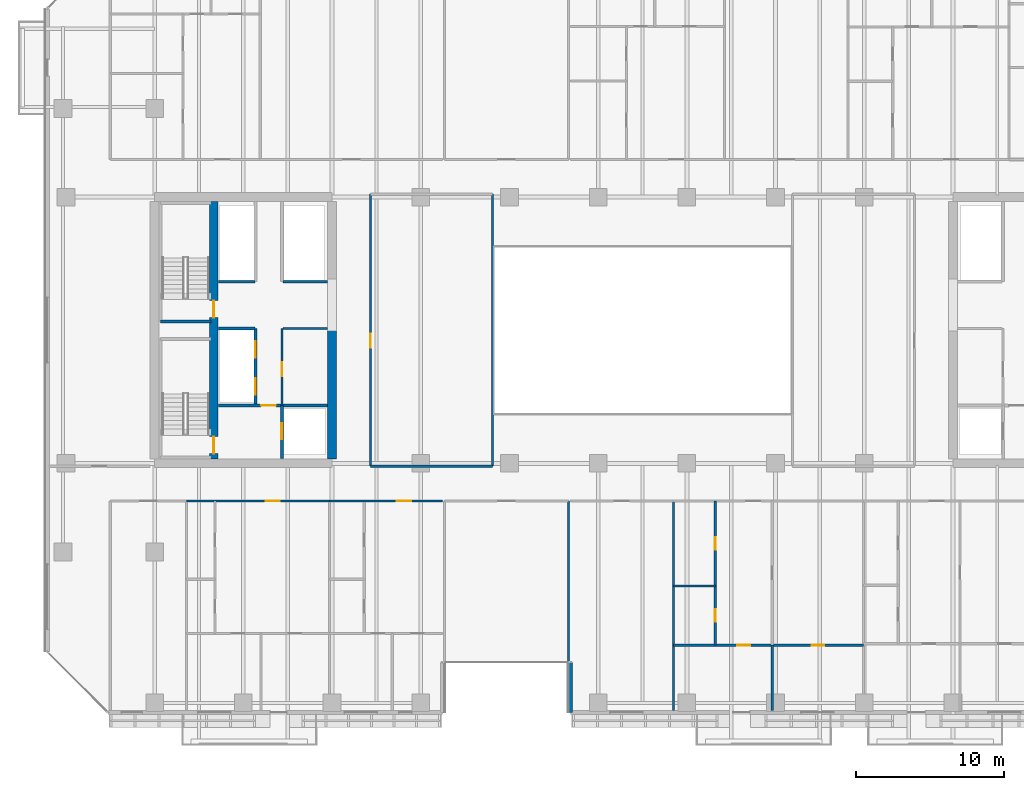
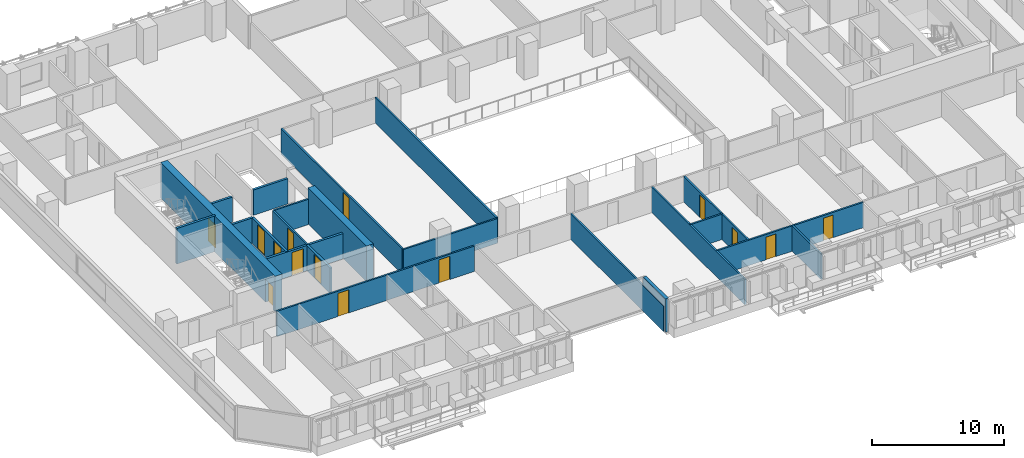
# One storey, part 19 of 33: 23 walls, 14 doors, 14 openings.
"""IFC4 building model written with IfcOpenShell, lengths in metres."""

from ifc_helpers import new_model, si_unit, direction, frame, frame_2d, origin, place, context, subcontext, project, spatial, rectangle, extrude, material, layer, layer_set, type_object, element, fill, save


model = new_model("IFC4")

# Units and contexts
model_context = context("Model", 3, precision=1e-05, world=origin(), true_north=direction((0.0, 1.0)))
body_context = subcontext(model_context, "Body", "Model", "MODEL_VIEW")
ifc_project = project(units=[si_unit("LENGTHUNIT", "METRE"), si_unit("AREAUNIT", "SQUARE_METRE"), si_unit("VOLUMEUNIT", "CUBIC_METRE"), si_unit("PLANEANGLEUNIT", "RADIAN"), si_unit("MASSUNIT", "GRAM", prefix="KILO")], contexts=[model_context])

# Site, building, storey
site_placement = place(None, origin())
site = spatial("IfcSite", under=ifc_project, at=site_placement, CompositionType="ELEMENT")
building_placement = place(site_placement, origin())
building = spatial("IfcBuilding", under=site, at=building_placement, Name="Tanjung Sevakor Pilgrim Tower", CompositionType="ELEMENT")
storey_placement = place(building_placement, frame((0.0, 0.0, 52.139892578125)))
storey = spatial("IfcBuildingStorey", under=building, at=storey_placement, Name="L14", CompositionType="ELEMENT", Elevation=52.139892578125)

# Wall
ifc_material_1 = material(Name="Concrete C60/75", Category="concrete")
ifc_layer_1 = layer(ifc_material_1, 0.60009765625)
ifc_layer_set_1 = layer_set([ifc_layer_1], Name="WALL-CW-600")
wall_type_1 = type_object("IfcWallType", Name="WALL-CW-600", PredefinedType="SHEAR", material=ifc_layer_set_1)
wall_1_placement = place(storey_placement, frame((36.0, 24.89990234375, 0.0), z_axis=(0.0, 0.0, 1.0), x_axis=(0.0, 1.0, 0.0)))
element("IfcWall", 1, at=wall_1_placement, inside=storey, type_object=wall_type_1, Name="L14 W Core Inner Shear Wall South", PredefinedType="SHEAR", context=body_context, shape_type="SweptSolid", body=[
    extrude(rectangle(XDim=8.900146484375, YDim=0.60009765625, at=frame_2d((4.4501953125, 0.0))), origin(), (0.0, 0.0, 1.0), 3.300048828125),
])

# Wall, openings, doors
wall_2_placement = place(storey_placement, frame((28.0, 24.89990234375, 0.0), z_axis=(0.0, 0.0, 1.0), x_axis=(0.0, 1.0, 0.0)))
wall_2 = element("IfcWall", 2, at=wall_2_placement, inside=storey, type_object=wall_type_1, Name="L14 W Core Stair Spine Wall", PredefinedType="SHEAR", context=body_context, shape_type="SweptSolid", body=[
    extrude(rectangle(XDim=17.400146484375, YDim=0.60009765625, at=frame_2d((8.7001953125, 0.0))), origin(), (0.0, 0.0, 1.0), 3.300048828125),
])
opening_1_placement = place(wall_2_placement, frame((0.35009765625, 0.0, 0.0)))
opening_1 = element("IfcOpeningElement", 3, at=opening_1_placement, cuts=wall_2, Name="Opening ID-ST1", PredefinedType="OPENING", context=body_context, shape_type="SweptSolid", body=[
    extrude(rectangle(XDim=1.14990234375, YDim=2.14990234375, at=frame_2d((0.574951171875, 1.074951171875))), frame((0.0, 0.31005859375, 0.0), z_axis=(0.0, -1.0, 0.0), x_axis=(1.0, 0.0, 0.0)), (0.0, 0.0, 1.0), 0.6201171875),
])
opening_2_placement = place(wall_2_placement, frame((9.550048828125, 0.0, 0.0)))
opening_2 = element("IfcOpeningElement", 4, at=opening_2_placement, cuts=wall_2, Name="Opening ID-ST1", PredefinedType="OPENING", context=body_context, shape_type="SweptSolid", body=[
    extrude(rectangle(XDim=1.14990234375, YDim=2.14990234375, at=frame_2d((0.574951171875, 1.074951171875))), frame((0.0, 0.31005859375, 0.0), z_axis=(0.0, -1.0, 0.0), x_axis=(1.0, 0.0, 0.0)), (0.0, 0.0, 1.0), 0.6201171875),
])
ifc_material_2 = material(Name="Fire-Rated Steel S355J2", Category="steel")
door_type_1 = type_object("IfcDoorType", Name="DT-FIRE-1150", OperationType="NOTDEFINED", PredefinedType="DOOR", material=ifc_material_2)
door_1_placement = place(opening_1_placement, origin())
door_1 = element("IfcDoor", 5, at=door_1_placement, inside=storey, type_object=door_type_1, Name="L14 TS-W1 Stair Fire Door", OperationType="SINGLE_SWING_LEFT", OverallHeight=2.14990234375, OverallWidth=1.14990234375, PredefinedType="DOOR", context=body_context, shape_type="SweptSolid", body=[
    extrude(rectangle(XDim=1.14990234375, YDim=2.14990234375, at=frame_2d((0.574951171875, 1.074951171875))), frame((0.0, 0.02490234375, 0.0), z_axis=(0.0, -1.0, 0.0), x_axis=(1.0, 0.0, 0.0)), (0.0, 0.0, 1.0), 0.050048828125),
])
fill(opening_1, door_1)
door_2_placement = place(opening_2_placement, origin())
door_2 = element("IfcDoor", 6, at=door_2_placement, inside=storey, type_object=door_type_1, Name="L14 TS-W2 Stair Fire Door", OperationType="SINGLE_SWING_RIGHT", OverallHeight=2.14990234375, OverallWidth=1.14990234375, PredefinedType="DOOR", context=body_context, shape_type="SweptSolid", body=[
    extrude(rectangle(XDim=1.14990234375, YDim=2.14990234375, at=frame_2d((0.574951171875, 1.074951171875))), frame((0.0, 0.02490234375, 0.0), z_axis=(0.0, -1.0, 0.0), x_axis=(1.0, 0.0, 0.0)), (0.0, 0.0, 1.0), 0.050048828125),
])
fill(opening_2, door_2)

# Wall
ifc_material_3 = material(Name="Concrete C40/50", Category="concrete")
ifc_layer_2 = layer(ifc_material_3, 0.14990234375)
ifc_layer_set_2 = layer_set([ifc_layer_2], Name="WT-COMP-150")
wall_type_2 = type_object("IfcWallType", Name="WT-COMP-150", PredefinedType="SOLIDWALL", material=ifc_layer_set_2)
wall_3_placement = place(storey_placement, frame((32.679931640625, 33.719970703125, 0.0), z_axis=(0.0, 0.0, 1.0), x_axis=(1.0, 0.0, 0.0)))
element("IfcWall", 7, at=wall_3_placement, inside=storey, type_object=wall_type_2, Name="L14 Partition IW-L14-005", PredefinedType="SOLIDWALL", context=body_context, shape_type="SweptSolid", body=[
    extrude(rectangle(XDim=3.0, YDim=0.14990234375, at=frame_2d((1.5, 0.0))), origin(), (0.0, 0.0, 1.0), 2.35009765625),
])

# Wall, opening, door
wall_4_placement = place(storey_placement, frame((32.6201171875, 28.5, 0.0), z_axis=(0.0, 0.0, 1.0), x_axis=(0.0, 1.0, 0.0)))
wall_4 = element("IfcWall", 8, at=wall_4_placement, inside=storey, type_object=wall_type_2, Name="L14 Partition IW-L14-006", PredefinedType="SOLIDWALL", context=body_context, shape_type="SweptSolid", body=[
    extrude(rectangle(XDim=5.219970703125, YDim=0.14990234375, at=frame_2d((2.60986328125, 0.0))), origin(), (0.0, 0.0, 1.0), 2.35009765625),
])
opening_3_placement = place(wall_4_placement, frame((2.0, 0.0, 0.0)))
opening_3 = element("IfcOpeningElement", 9, at=opening_3_placement, cuts=wall_4, Name="Opening ID-FD2", PredefinedType="OPENING", context=body_context, shape_type="SweptSolid", body=[
    extrude(rectangle(XDim=0.949951171875, YDim=2.14990234375, at=frame_2d((0.47509765625, 1.074951171875))), frame((0.0, 0.0849609375, 0.0), z_axis=(0.0, -1.0, 0.0), x_axis=(1.0, 0.0, 0.0)), (0.0, 0.0, 1.0), 0.169921875),
])
ifc_material_4 = material(Name="Fire-Rated Timber", Category="wood")
door_type_2 = type_object("IfcDoorType", Name="DT-FIRE-950", OperationType="NOTDEFINED", PredefinedType="DOOR", material=ifc_material_4)
door_3_placement = place(opening_3_placement, origin())
door_3 = element("IfcDoor", 10, at=door_3_placement, inside=storey, type_object=door_type_2, Name="L14 Accessible WC Door", OperationType="SINGLE_SWING_RIGHT", OverallHeight=2.14990234375, OverallWidth=0.949951171875, PredefinedType="DOOR", context=body_context, shape_type="SweptSolid", body=[
    extrude(rectangle(XDim=0.949951171875, YDim=2.14990234375, at=frame_2d((0.47509765625, 1.074951171875))), frame((0.0, 0.02490234375, 0.0), z_axis=(0.0, -1.0, 0.0), x_axis=(1.0, 0.0, 0.0)), (0.0, 0.0, 1.0), 0.050048828125),
])
fill(opening_3, door_3)

# Wall
wall_5_placement = place(storey_placement, frame((38.60009765625, 24.39990234375, 0.0), z_axis=(0.0, 0.0, 1.0), x_axis=(1.0, 0.0, 0.0)))
element("IfcWall", 11, at=wall_5_placement, inside=storey, type_object=wall_type_2, Name="L14 Partition IW-L14-021", PredefinedType="SOLIDWALL", context=body_context, shape_type="SweptSolid", body=[
    extrude(rectangle(XDim=8.25, YDim=0.14990234375, at=frame_2d((4.125, 0.0))), origin(), (0.0, 0.0, 1.0), 2.295166015625),
])

# Wall, opening, door
wall_6_placement = place(storey_placement, frame((38.60009765625, 24.39990234375, 0.0), z_axis=(0.0, 0.0, 1.0), x_axis=(0.0, 1.0, 0.0)))
wall_6 = element("IfcWall", 12, at=wall_6_placement, inside=storey, type_object=wall_type_2, Name="L14 Partition IW-L14-023", PredefinedType="SOLIDWALL", context=body_context, shape_type="SweptSolid", body=[
    extrude(rectangle(XDim=18.400146484375, YDim=0.14990234375, at=frame_2d((9.2001953125, 0.0))), origin(), (0.0, 0.0, 1.0), 2.35009765625),
])
opening_4_placement = place(wall_6_placement, frame((8.02490234375, 0.0, 0.0)))
opening_4 = element("IfcOpeningElement", 13, at=opening_4_placement, cuts=wall_6, Name="Opening ID-RM1", PredefinedType="OPENING", context=body_context, shape_type="SweptSolid", body=[
    extrude(rectangle(XDim=0.949951171875, YDim=2.14990234375, at=frame_2d((0.47509765625, 1.074951171875))), frame((0.0, 0.0849609375, 0.0), z_axis=(0.0, -1.0, 0.0), x_axis=(1.0, 0.0, 0.0)), (0.0, 0.0, 1.0), 0.169921875),
])
ifc_material_5 = material(Name="Hardwood Timber", Category="wood")
door_type_3 = type_object("IfcDoorType", Name="DT-INT-950", OperationType="NOTDEFINED", PredefinedType="DOOR", material=ifc_material_5)
door_4_placement = place(opening_4_placement, origin())
door_4 = element("IfcDoor", 14, at=door_4_placement, inside=storey, type_object=door_type_3, Name="L14 Central West Room Door", OperationType="SINGLE_SWING_RIGHT", OverallHeight=2.14990234375, OverallWidth=0.949951171875, PredefinedType="DOOR", context=body_context, shape_type="SweptSolid", body=[
    extrude(rectangle(XDim=0.949951171875, YDim=2.14990234375, at=frame_2d((0.47509765625, 1.074951171875))), frame((0.0, 0.02490234375, 0.0), z_axis=(0.0, -1.0, 0.0), x_axis=(1.0, 0.0, 0.0)), (0.0, 0.0, 1.0), 0.050048828125),
])
fill(opening_4, door_4)

# Walls
wall_7_placement = place(storey_placement, frame((46.85009765625, 24.39990234375, 0.0), z_axis=(0.0, 0.0, 1.0), x_axis=(0.0, 1.0, 0.0)))
element("IfcWall", 15, at=wall_7_placement, inside=storey, type_object=wall_type_2, Name="L14 Partition IW-L14-024", PredefinedType="SOLIDWALL", context=body_context, shape_type="SweptSolid", body=[
    extrude(rectangle(XDim=18.400146484375, YDim=0.14990234375, at=frame_2d((9.2001953125, 0.0))), origin(), (0.0, 0.0, 1.0), 2.35009765625),
])
wall_8_placement = place(storey_placement, frame((52.0, 7.8798828125, 0.0), z_axis=(0.0, 0.0, 1.0), x_axis=(0.0, 1.0, 0.0)))
element("IfcWall", 16, at=wall_8_placement, inside=storey, type_object=wall_type_2, Name="L14 Partition IW-L14-038", PredefinedType="SOLIDWALL", context=body_context, shape_type="SweptSolid", body=[
    extrude(rectangle(XDim=14.170166015625, YDim=0.14990234375, at=frame_2d((7.0849609375, 0.0))), origin(), (0.0, 0.0, 1.0), 2.35009765625),
])

# Wall, opening, door
wall_9_placement = place(storey_placement, frame((26.162109375, 22.050048828125, 0.0), z_axis=(0.0, 0.0, 1.0), x_axis=(1.0, 0.0, 0.0)))
wall_9 = element("IfcWall", 17, at=wall_9_placement, inside=storey, type_object=wall_type_2, Name="L14 Partition IW-L14-050", PredefinedType="SOLIDWALL", context=body_context, shape_type="SweptSolid", body=[
    extrude(rectangle(XDim=9.658203125, YDim=0.14990234375, at=frame_2d((4.8291015625, 0.0))), origin(), (0.0, 0.0, 1.0), 2.35009765625),
])
opening_5_placement = place(wall_9_placement, frame((5.35302734375, 0.0, 0.0)))
opening_5 = element("IfcOpeningElement", 18, at=opening_5_placement, cuts=wall_9, Name="Opening ID-FD2", PredefinedType="OPENING", context=body_context, shape_type="SweptSolid", body=[
    extrude(rectangle(XDim=0.949951171875, YDim=2.14990234375, at=frame_2d((0.47509765625, 1.074951171875))), frame((0.0, 0.0849609375, 0.0), z_axis=(0.0, -1.0, 0.0), x_axis=(1.0, 0.0, 0.0)), (0.0, 0.0, 1.0), 0.169921875),
])
door_5_placement = place(opening_5_placement, origin())
door_5 = element("IfcDoor", 19, at=door_5_placement, inside=storey, type_object=door_type_2, Name="Suite Entrance", OperationType="SINGLE_SWING_RIGHT", OverallHeight=2.14990234375, OverallWidth=0.949951171875, PredefinedType="DOOR", context=body_context, shape_type="SweptSolid", body=[
    extrude(rectangle(XDim=0.949951171875, YDim=2.14990234375, at=frame_2d((0.47509765625, 1.074951171875))), frame((0.0, 0.02490234375, 0.0), z_axis=(0.0, -1.0, 0.0), x_axis=(1.0, 0.0, 0.0)), (0.0, 0.0, 1.0), 0.050048828125),
])
fill(opening_5, door_5)

wall_10_placement = place(storey_placement, frame((35.8203125, 22.050048828125, 0.0), z_axis=(0.0, 0.0, 1.0), x_axis=(1.0, 0.0, 0.0)))
wall_10 = element("IfcWall", 20, at=wall_10_placement, inside=storey, type_object=wall_type_2, Name="L14 Partition IW-L14-055", PredefinedType="SOLIDWALL", context=body_context, shape_type="SweptSolid", body=[
    extrude(rectangle(XDim=7.65966796875, YDim=0.14990234375, at=frame_2d((3.829833984375, 0.0))), origin(), (0.0, 0.0, 1.0), 2.35009765625),
])
opening_6_placement = place(wall_10_placement, frame((4.56982421875, 0.0, 0.0)))
opening_6 = element("IfcOpeningElement", 21, at=opening_6_placement, cuts=wall_10, Name="Opening ID-FD2", PredefinedType="OPENING", context=body_context, shape_type="SweptSolid", body=[
    extrude(rectangle(XDim=0.949951171875, YDim=2.14990234375, at=frame_2d((0.47509765625, 1.074951171875))), frame((0.0, 0.0849609375, 0.0), z_axis=(0.0, -1.0, 0.0), x_axis=(1.0, 0.0, 0.0)), (0.0, 0.0, 1.0), 0.169921875),
])
door_6_placement = place(opening_6_placement, origin())
door_6 = element("IfcDoor", 22, at=door_6_placement, inside=storey, type_object=door_type_2, Name="Suite Entrance", OperationType="SINGLE_SWING_LEFT", OverallHeight=2.14990234375, OverallWidth=0.949951171875, PredefinedType="DOOR", context=body_context, shape_type="SweptSolid", body=[
    extrude(rectangle(XDim=0.949951171875, YDim=2.14990234375, at=frame_2d((0.47509765625, 1.074951171875))), frame((0.0, 0.02490234375, 0.0), z_axis=(0.0, -1.0, 0.0), x_axis=(1.0, 0.0, 0.0)), (0.0, 0.0, 1.0), 0.050048828125),
])
fill(opening_6, door_6)

# Walls
wall_11_placement = place(storey_placement, frame((59.099853515625, 7.8798828125, 0.0), z_axis=(0.0, 0.0, 1.0), x_axis=(0.0, 1.0, 0.0)))
element("IfcWall", 23, at=wall_11_placement, inside=storey, type_object=wall_type_2, Name="L14 Partition IW-L14-057", PredefinedType="SOLIDWALL", context=body_context, shape_type="SweptSolid", body=[
    extrude(rectangle(XDim=14.170166015625, YDim=0.14990234375, at=frame_2d((7.0849609375, 0.0))), origin(), (0.0, 0.0, 1.0), 2.35009765625),
])
ifc_material_6 = material(Name="Precast concrete C45/55", Category="concrete")
ifc_layer_3 = layer(ifc_material_6, 0.280029296875)
ifc_layer_set_3 = layer_set([ifc_layer_3], Name="WT-EW-STN2")
wall_type_3 = type_object("IfcWallType", Name="WT-EW-STN2", PredefinedType="SOLIDWALL", material=ifc_layer_set_3)
wall_12_placement = place(storey_placement, frame((52.139892578125, 11.139892578125, 0.0), z_axis=(0.0, 0.0, 1.0), x_axis=(0.0, -1.0, 0.0)))
element("IfcWall", 24, at=wall_12_placement, inside=storey, type_object=wall_type_3, Name="L14 MAIN Exterior Wall 4", PredefinedType="SOLIDWALL", context=body_context, shape_type="SweptSolid", body=[
    extrude(rectangle(XDim=3.39990234375, YDim=0.280029296875, at=frame_2d((1.699951171875, 0.0))), origin(), (0.0, 0.0, 1.0), 3.080078125),
])
ifc_material_7 = material(Name="Concrete C40/50", Category="concrete")
ifc_layer_4 = layer(ifc_material_7, 0.199951171875)
ifc_layer_set_4 = layer_set([ifc_layer_4], Name="WT-FIRE-200")
wall_type_4 = type_object("IfcWallType", Name="WT-FIRE-200", PredefinedType="SOLIDWALL", material=ifc_layer_set_4)
wall_13_placement = place(storey_placement, frame((24.39990234375, 34.199951171875, 0.0), z_axis=(0.0, 0.0, 1.0), x_axis=(1.0, 0.0, 0.0)))
element("IfcWall", 25, at=wall_13_placement, inside=storey, type_object=wall_type_4, Name="L14 TS-W2 Shaft Wall 1", PredefinedType="SOLIDWALL", context=body_context, shape_type="SweptSolid", body=[
    extrude(rectangle(XDim=3.400146484375, YDim=0.199951171875, at=frame_2d((1.7001953125, 0.0))), origin(), (0.0, 0.0, 1.0), 3.300048828125),
])

# Wall, opening, door
ifc_material_8 = material(Name="Concrete C40/50", Category="concrete")
ifc_layer_5 = layer(ifc_material_8, 0.199951171875)
ifc_layer_set_5 = layer_set([ifc_layer_5], Name="WT-FPRT-200")
wall_type_5 = type_object("IfcWallType", Name="WT-FPRT-200", PredefinedType="SOLIDWALL", material=ifc_layer_set_5)
wall_14_placement = place(storey_placement, frame((32.60009765625, 24.919921875, 0.0), z_axis=(0.0, 0.0, 1.0), x_axis=(0.0, 1.0, 0.0)))
wall_14 = element("IfcWall", 26, at=wall_14_placement, inside=storey, type_object=wall_type_5, Name="L14 Partition IW-L14-001", PredefinedType="SOLIDWALL", context=body_context, shape_type="SweptSolid", body=[
    extrude(rectangle(XDim=3.580078125, YDim=0.199951171875, at=frame_2d((1.7900390625, 0.0))), origin(), (0.0, 0.0, 1.0), 2.35009765625),
])
opening_7_placement = place(wall_14_placement, frame((1.300048828125, 0.0, 0.0)))
opening_7 = element("IfcOpeningElement", 27, at=opening_7_placement, cuts=wall_14, Name="Opening LD-1100", PredefinedType="OPENING", context=body_context, shape_type="SweptSolid", body=[
    extrude(rectangle(XDim=1.10009765625, YDim=2.199951171875, at=frame_2d((0.550048828125, 1.10009765625))), frame((0.0, 0.10986328125, 0.0), z_axis=(0.0, -1.0, 0.0), x_axis=(1.0, 0.0, 0.0)), (0.0, 0.0, 1.0), 0.219970703125),
])
ifc_material_9 = material(Name="Brushed Stainless Steel S355J2", Category="steel")
door_type_4 = type_object("IfcDoorType", Name="DT-LIFT-1100", OperationType="SLIDING_TO_LEFT", PredefinedType="DOOR", material=ifc_material_9)
door_7_placement = place(opening_7_placement, origin())
door_7 = element("IfcDoor", 28, at=door_7_placement, inside=storey, type_object=door_type_4, Name="LD-FL-W", OperationType="SLIDING_TO_LEFT", OverallHeight=2.199951171875, OverallWidth=1.10009765625, PredefinedType="DOOR", context=body_context, shape_type="SweptSolid", body=[
    extrude(rectangle(XDim=1.10009765625, YDim=2.199951171875, at=frame_2d((0.550048828125, 1.10009765625))), frame((0.0, 0.02490234375, 0.0), z_axis=(0.0, -1.0, 0.0), x_axis=(1.0, 0.0, 0.0)), (0.0, 0.0, 1.0), 0.050048828125),
])
fill(opening_7, door_7)

wall_15_placement = place(storey_placement, frame((28.320068359375, 28.5, 0.0), z_axis=(0.0, 0.0, 1.0), x_axis=(1.0, 0.0, 0.0)))
wall_15 = element("IfcWall", 29, at=wall_15_placement, inside=storey, type_object=wall_type_5, Name="L14 Partition IW-L14-002", PredefinedType="SOLIDWALL", context=body_context, shape_type="SweptSolid", body=[
    extrude(rectangle(XDim=7.35986328125, YDim=0.199951171875, at=frame_2d((3.679931640625, 0.0))), origin(), (0.0, 0.0, 1.0), 2.35009765625),
])
opening_8_placement = place(wall_15_placement, frame((2.8798828125, 0.0, 0.0)))
opening_8 = element("IfcOpeningElement", 30, at=opening_8_placement, cuts=wall_15, Name="Opening ID-FD1", PredefinedType="OPENING", context=body_context, shape_type="SweptSolid", body=[
    extrude(rectangle(XDim=1.0, YDim=2.14990234375, at=frame_2d((0.5, 1.074951171875))), frame((0.0, 0.10986328125, 0.0), z_axis=(0.0, -1.0, 0.0), x_axis=(1.0, 0.0, 0.0)), (0.0, 0.0, 1.0), 0.219970703125),
])
ifc_material_10 = material(Name="Fire-Rated Steel S355J2", Category="steel")
door_type_5 = type_object("IfcDoorType", Name="DT-FIRE-1000", OperationType="NOTDEFINED", PredefinedType="DOOR", material=ifc_material_10)
door_8_placement = place(opening_8_placement, origin())
door_8 = element("IfcDoor", 31, at=door_8_placement, inside=storey, type_object=door_type_5, Name="Fire Lobby Door W", OperationType="SINGLE_SWING_LEFT", OverallHeight=2.14990234375, OverallWidth=1.0, PredefinedType="DOOR", context=body_context, shape_type="SweptSolid", body=[
    extrude(rectangle(XDim=1.0, YDim=2.14990234375, at=frame_2d((0.5, 1.074951171875))), frame((0.0, 0.02490234375, 0.0), z_axis=(0.0, -1.0, 0.0), x_axis=(1.0, 0.0, 0.0)), (0.0, 0.0, 1.0), 0.050048828125),
])
fill(opening_8, door_8)

# Wall
wall_16_placement = place(storey_placement, frame((28.320068359375, 33.719970703125, 0.0), z_axis=(0.0, 0.0, 1.0), x_axis=(1.0, 0.0, 0.0)))
element("IfcWall", 32, at=wall_16_placement, inside=storey, type_object=wall_type_5, Name="L14 Partition IW-L14-003", PredefinedType="SOLIDWALL", context=body_context, shape_type="SweptSolid", body=[
    extrude(rectangle(XDim=2.47998046875, YDim=0.199951171875, at=frame_2d((1.239990234375, 0.0))), origin(), (0.0, 0.0, 1.0), 2.35009765625),
])

# Wall, openings, doors
wall_17_placement = place(storey_placement, frame((30.820068359375, 28.5, 0.0), z_axis=(0.0, 0.0, 1.0), x_axis=(0.0, 1.0, 0.0)))
wall_17 = element("IfcWall", 33, at=wall_17_placement, inside=storey, type_object=wall_type_5, Name="L14 Partition IW-L14-004", PredefinedType="SOLIDWALL", context=body_context, shape_type="SweptSolid", body=[
    extrude(rectangle(XDim=5.219970703125, YDim=0.199951171875, at=frame_2d((2.60986328125, 0.0))), origin(), (0.0, 0.0, 1.0), 2.35009765625),
])
opening_9_placement = place(wall_17_placement, frame((0.75, 0.0, 0.0)))
opening_9 = element("IfcOpeningElement", 34, at=opening_9_placement, cuts=wall_17, Name="Opening LD-1100", PredefinedType="OPENING", context=body_context, shape_type="SweptSolid", body=[
    extrude(rectangle(XDim=1.10009765625, YDim=2.199951171875, at=frame_2d((0.550048828125, 1.10009765625))), frame((0.0, 0.10986328125, 0.0), z_axis=(0.0, -1.0, 0.0), x_axis=(1.0, 0.0, 0.0)), (0.0, 0.0, 1.0), 0.219970703125),
])
opening_10_placement = place(wall_17_placement, frame((3.25, 0.0, 0.0)))
opening_10 = element("IfcOpeningElement", 35, at=opening_10_placement, cuts=wall_17, Name="Opening LD-1100", PredefinedType="OPENING", context=body_context, shape_type="SweptSolid", body=[
    extrude(rectangle(XDim=1.10009765625, YDim=2.199951171875, at=frame_2d((0.550048828125, 1.10009765625))), frame((0.0, 0.10986328125, 0.0), z_axis=(0.0, -1.0, 0.0), x_axis=(1.0, 0.0, 0.0)), (0.0, 0.0, 1.0), 0.219970703125),
])
door_9_placement = place(opening_9_placement, origin())
door_9 = element("IfcDoor", 36, at=door_9_placement, inside=storey, type_object=door_type_4, Name="LD-PLL1-W", OperationType="SLIDING_TO_LEFT", OverallHeight=2.199951171875, OverallWidth=1.10009765625, PredefinedType="DOOR", context=body_context, shape_type="SweptSolid", body=[
    extrude(rectangle(XDim=1.10009765625, YDim=2.199951171875, at=frame_2d((0.550048828125, 1.10009765625))), frame((0.0, 0.02490234375, 0.0), z_axis=(0.0, -1.0, 0.0), x_axis=(1.0, 0.0, 0.0)), (0.0, 0.0, 1.0), 0.050048828125),
])
fill(opening_9, door_9)
door_10_placement = place(opening_10_placement, origin())
door_10 = element("IfcDoor", 37, at=door_10_placement, inside=storey, type_object=door_type_4, Name="LD-PLL2-W", OperationType="SLIDING_TO_RIGHT", OverallHeight=2.199951171875, OverallWidth=1.10009765625, PredefinedType="DOOR", context=body_context, shape_type="SweptSolid", body=[
    extrude(rectangle(XDim=1.10009765625, YDim=2.199951171875, at=frame_2d((0.550048828125, 1.10009765625))), frame((0.0, 0.02490234375, 0.0), z_axis=(0.0, -1.0, 0.0), x_axis=(1.0, 0.0, 0.0)), (0.0, 0.0, 1.0), 0.050048828125),
])
fill(opening_10, door_10)

# Walls
wall_18_placement = place(storey_placement, frame((28.320068359375, 36.8798828125, 0.0), z_axis=(0.0, 0.0, 1.0), x_axis=(1.0, 0.0, 0.0)))
element("IfcWall", 38, at=wall_18_placement, inside=storey, type_object=wall_type_5, Name="L14 Partition IW-L14-007", PredefinedType="SOLIDWALL", context=body_context, shape_type="SweptSolid", body=[
    extrude(rectangle(XDim=2.47998046875, YDim=0.199951171875, at=frame_2d((1.239990234375, 0.0))), origin(), (0.0, 0.0, 1.0), 2.35009765625),
])
wall_19_placement = place(storey_placement, frame((32.679931640625, 36.8798828125, 0.0), z_axis=(0.0, 0.0, 1.0), x_axis=(1.0, 0.0, 0.0)))
element("IfcWall", 39, at=wall_19_placement, inside=storey, type_object=wall_type_5, Name="L14 Partition IW-L14-009", PredefinedType="SOLIDWALL", context=body_context, shape_type="SweptSolid", body=[
    extrude(rectangle(XDim=3.0, YDim=0.199951171875, at=frame_2d((1.5, 0.0))), origin(), (0.0, 0.0, 1.0), 2.35009765625),
])
ifc_material_11 = material(Name="Gypsum Board Partition", Category="gypsum board")
ifc_layer_6 = layer(ifc_material_11, 0.14990234375)
ifc_layer_set_6 = layer_set([ifc_layer_6], Name="WT-PART-150")
wall_type_6 = type_object("IfcWallType", Name="WT-PART-150", PredefinedType="PARTITIONING", material=ifc_layer_set_6)
wall_20_placement = place(storey_placement, frame((59.099853515625, 16.2958984375, 0.0), z_axis=(0.0, 0.0, 1.0), x_axis=(1.0, 0.0, 0.0)))
element("IfcWall", 40, at=wall_20_placement, inside=storey, type_object=wall_type_6, Name="L14 Partition IW-L14-061", PredefinedType="PARTITIONING", context=body_context, shape_type="SweptSolid", body=[
    extrude(rectangle(XDim=2.820068359375, YDim=0.14990234375, at=frame_2d((1.41015625, 0.0))), origin(), (0.0, 0.0, 1.0), 2.35009765625),
])

# Wall, openings, doors
wall_21_placement = place(storey_placement, frame((61.919921875, 12.29736328125, 0.0), z_axis=(0.0, 0.0, 1.0), x_axis=(0.0, 1.0, 0.0)))
wall_21 = element("IfcWall", 41, at=wall_21_placement, inside=storey, type_object=wall_type_6, Name="L14 Partition IW-L14-062", PredefinedType="PARTITIONING", context=body_context, shape_type="SweptSolid", body=[
    extrude(rectangle(XDim=9.752685546875, YDim=0.14990234375, at=frame_2d((4.87646484375, 0.0))), origin(), (0.0, 0.0, 1.0), 2.35009765625),
])
opening_11_placement = place(wall_21_placement, frame((1.57421875, 0.0, 0.0)))
opening_11 = element("IfcOpeningElement", 42, at=opening_11_placement, cuts=wall_21, Name="Opening ID-WC1", PredefinedType="OPENING", context=body_context, shape_type="SweptSolid", body=[
    extrude(rectangle(XDim=0.85009765625, YDim=2.10009765625, at=frame_2d((0.425048828125, 1.050048828125))), frame((0.0, 0.0849609375, 0.0), z_axis=(0.0, -1.0, 0.0), x_axis=(1.0, 0.0, 0.0)), (0.0, 0.0, 1.0), 0.169921875),
])
opening_12_placement = place(wall_21_placement, frame((6.45068359375, 0.0, 0.0)))
opening_12 = element("IfcOpeningElement", 43, at=opening_12_placement, cuts=wall_21, Name="Opening ID-WC1", PredefinedType="OPENING", context=body_context, shape_type="SweptSolid", body=[
    extrude(rectangle(XDim=0.85009765625, YDim=2.10009765625, at=frame_2d((0.425048828125, 1.050048828125))), frame((0.0, 0.0849609375, 0.0), z_axis=(0.0, -1.0, 0.0), x_axis=(1.0, 0.0, 0.0)), (0.0, 0.0, 1.0), 0.169921875),
])
ifc_material_12 = material(Name="Moisture-Resistant Timber", Category="wood")
door_type_6 = type_object("IfcDoorType", Name="DT-INT-850", OperationType="NOTDEFINED", PredefinedType="DOOR", material=ifc_material_12)
door_11_placement = place(opening_11_placement, origin())
door_11 = element("IfcDoor", 44, at=door_11_placement, inside=storey, type_object=door_type_6, Name="Suite Bathroom Door", OperationType="SINGLE_SWING_RIGHT", OverallHeight=2.10009765625, OverallWidth=0.85009765625, PredefinedType="DOOR", context=body_context, shape_type="SweptSolid", body=[
    extrude(rectangle(XDim=0.85009765625, YDim=2.10009765625, at=frame_2d((0.425048828125, 1.050048828125))), frame((0.0, 0.02490234375, 0.0), z_axis=(0.0, -1.0, 0.0), x_axis=(1.0, 0.0, 0.0)), (0.0, 0.0, 1.0), 0.050048828125),
])
fill(opening_11, door_11)
door_12_placement = place(opening_12_placement, origin())
door_12 = element("IfcDoor", 45, at=door_12_placement, inside=storey, type_object=door_type_6, Name="Suite Kitchenette Door", OperationType="SINGLE_SWING_LEFT", OverallHeight=2.10009765625, OverallWidth=0.85009765625, PredefinedType="DOOR", context=body_context, shape_type="SweptSolid", body=[
    extrude(rectangle(XDim=0.85009765625, YDim=2.10009765625, at=frame_2d((0.425048828125, 1.050048828125))), frame((0.0, 0.02490234375, 0.0), z_axis=(0.0, -1.0, 0.0), x_axis=(1.0, 0.0, 0.0)), (0.0, 0.0, 1.0), 0.050048828125),
])
fill(opening_12, door_12)

# Wall
wall_22_placement = place(storey_placement, frame((65.778076171875, 7.8798828125, 0.0), z_axis=(0.0, 0.0, 1.0), x_axis=(0.0, 1.0, 0.0)))
element("IfcWall", 46, at=wall_22_placement, inside=storey, type_object=wall_type_6, Name="L14 Partition IW-L14-063", PredefinedType="PARTITIONING", context=body_context, shape_type="SweptSolid", body=[
    extrude(rectangle(XDim=4.41748046875, YDim=0.14990234375, at=frame_2d((2.208740234375, 0.0))), origin(), (0.0, 0.0, 1.0), 2.35009765625),
])

# Wall, openings, doors
wall_23_placement = place(storey_placement, frame((59.099853515625, 12.29736328125, 0.0), z_axis=(0.0, 0.0, 1.0), x_axis=(1.0, 0.0, 0.0)))
wall_23 = element("IfcWall", 47, at=wall_23_placement, inside=storey, type_object=wall_type_6, Name="L14 Partition IW-L14-064", PredefinedType="PARTITIONING", context=body_context, shape_type="SweptSolid", body=[
    extrude(rectangle(XDim=12.8427734375, YDim=0.14990234375, at=frame_2d((6.42138671875, 0.0))), origin(), (0.0, 0.0, 1.0), 2.35009765625),
])
opening_13_placement = place(wall_23_placement, frame((4.32421875, 0.0, 0.0)))
opening_13 = element("IfcOpeningElement", 48, at=opening_13_placement, cuts=wall_23, Name="Opening ID-WC1", PredefinedType="OPENING", context=body_context, shape_type="SweptSolid", body=[
    extrude(rectangle(XDim=0.85009765625, YDim=2.10009765625, at=frame_2d((0.425048828125, 1.050048828125))), frame((0.0, 0.0849609375, 0.0), z_axis=(0.0, -1.0, 0.0), x_axis=(1.0, 0.0, 0.0)), (0.0, 0.0, 1.0), 0.169921875),
])
opening_14_placement = place(wall_23_placement, frame((9.335693359375, 0.0, 0.0)))
opening_14 = element("IfcOpeningElement", 49, at=opening_14_placement, cuts=wall_23, Name="Opening ID-WC1", PredefinedType="OPENING", context=body_context, shape_type="SweptSolid", body=[
    extrude(rectangle(XDim=0.85009765625, YDim=2.10009765625, at=frame_2d((0.425048828125, 1.050048828125))), frame((0.0, 0.0849609375, 0.0), z_axis=(0.0, -1.0, 0.0), x_axis=(1.0, 0.0, 0.0)), (0.0, 0.0, 1.0), 0.169921875),
])
door_13_placement = place(opening_13_placement, origin())
door_13 = element("IfcDoor", 50, at=door_13_placement, inside=storey, type_object=door_type_6, Name="Suite Bedroom 1 Door", OperationType="SINGLE_SWING_RIGHT", OverallHeight=2.10009765625, OverallWidth=0.85009765625, PredefinedType="DOOR", context=body_context, shape_type="SweptSolid", body=[
    extrude(rectangle(XDim=0.85009765625, YDim=2.10009765625, at=frame_2d((0.425048828125, 1.050048828125))), frame((0.0, 0.02490234375, 0.0), z_axis=(0.0, -1.0, 0.0), x_axis=(1.0, 0.0, 0.0)), (0.0, 0.0, 1.0), 0.050048828125),
])
fill(opening_13, door_13)
door_14_placement = place(opening_14_placement, origin())
door_14 = element("IfcDoor", 51, at=door_14_placement, inside=storey, type_object=door_type_6, Name="Suite Bedroom 2 Door", OperationType="SINGLE_SWING_LEFT", OverallHeight=2.10009765625, OverallWidth=0.85009765625, PredefinedType="DOOR", context=body_context, shape_type="SweptSolid", body=[
    extrude(rectangle(XDim=0.85009765625, YDim=2.10009765625, at=frame_2d((0.425048828125, 1.050048828125))), frame((0.0, 0.02490234375, 0.0), z_axis=(0.0, -1.0, 0.0), x_axis=(1.0, 0.0, 0.0)), (0.0, 0.0, 1.0), 0.050048828125),
])
fill(opening_14, door_14)

save(model, "model.ifc")
